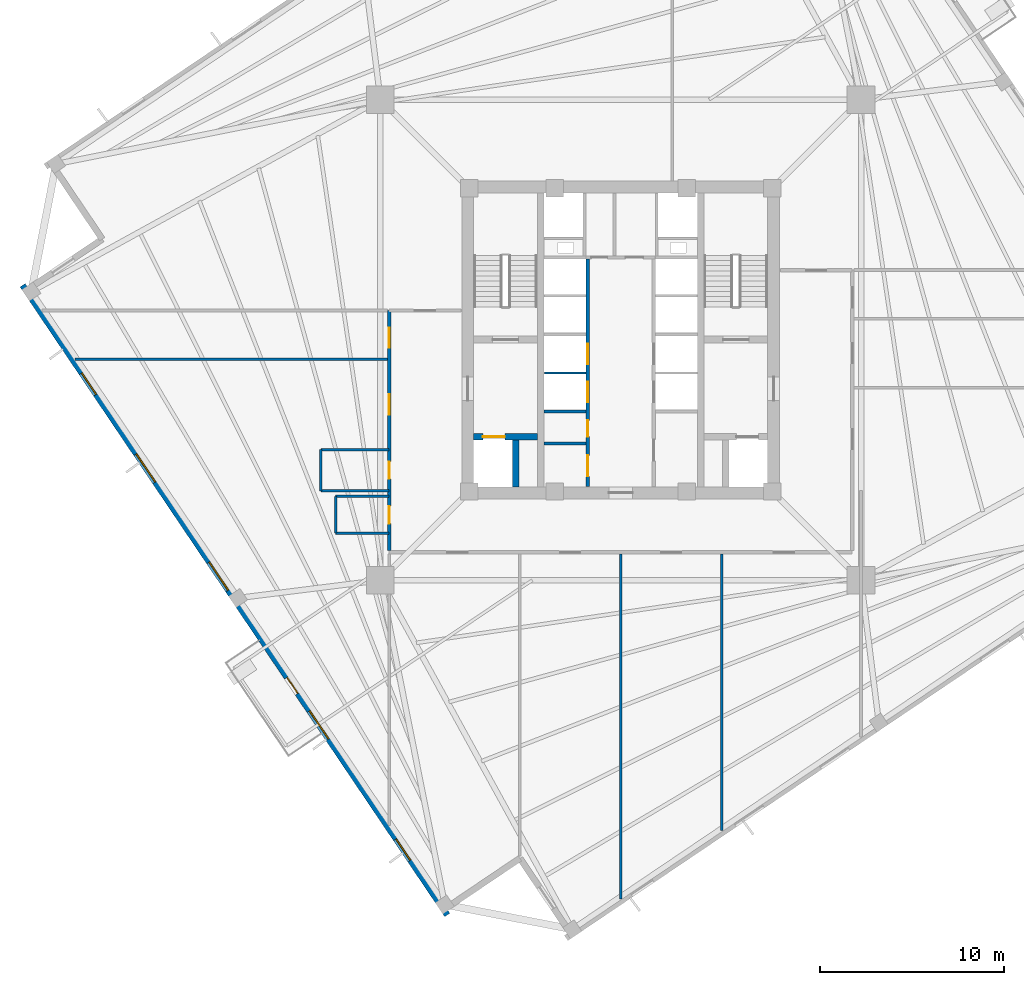
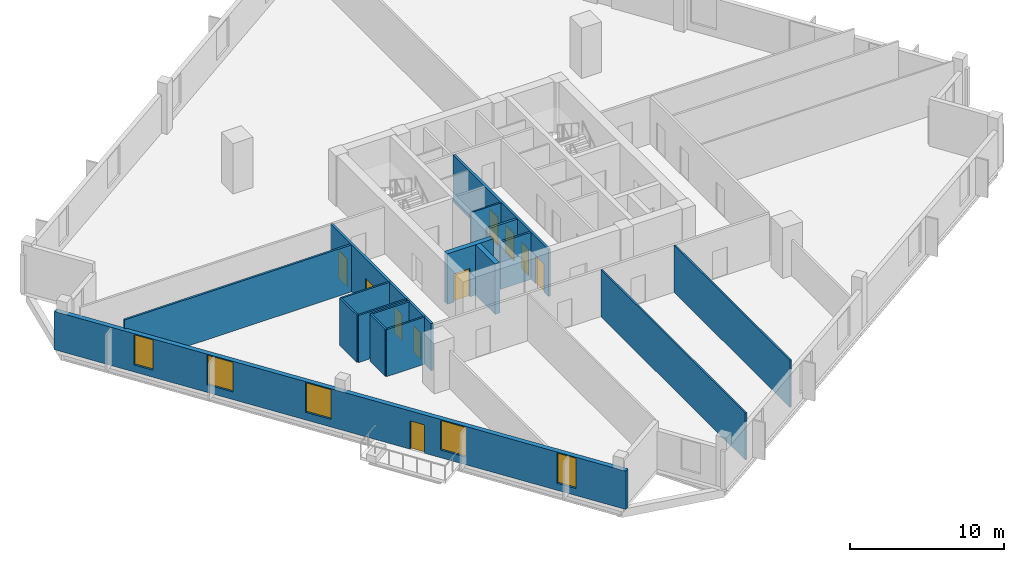
# One storey, part 3 of 9: 17 walls, 10 doors, 5 windows, 15 openings.
"""IFC4 building model written with IfcOpenShell, lengths in metres."""

from ifc_helpers import new_model, si_unit, direction, frame, frame_2d, origin, place, context, subcontext, project, spatial, rectangle, extrude, source, transform, mapped, material, layer, layer_set, type_object, element, fill, save


model = new_model("IFC4")

# Units and contexts
model_context = context("Model", 3, precision=1e-05, world=origin(), true_north=direction((0.0, 1.0)))
body_context = subcontext(model_context, "Body", "Model", "MODEL_VIEW")
ifc_project = project(units=[si_unit("LENGTHUNIT", "METRE"), si_unit("AREAUNIT", "SQUARE_METRE"), si_unit("VOLUMEUNIT", "CUBIC_METRE"), si_unit("PLANEANGLEUNIT", "RADIAN"), si_unit("MASSUNIT", "GRAM", prefix="KILO"), si_unit("THERMODYNAMICTEMPERATUREUNIT", "KELVIN")], contexts=[model_context])

# Site, building, storey
site_placement = place(None, origin())
site = spatial("IfcSite", under=ifc_project, at=site_placement, CompositionType="ELEMENT")
building_placement = place(site_placement, origin())
building = spatial("IfcBuilding", under=site, at=building_placement, Name="Kosmvard Interchange Tower", CompositionType="ELEMENT")
storey_placement = place(building_placement, frame((0.0, 0.0, 192.39990234375)))
storey = spatial("IfcBuildingStorey", under=building, at=storey_placement, Name="L46", CompositionType="ELEMENT", Elevation=192.39990234375)

# Walls
ifc_material_1 = material(Name="Acoustic gypsum partition system")
ifc_layer_1 = layer(ifc_material_1, 0.14990234375, Name="Acoustic gypsum partition system")
ifc_layer_set_1 = layer_set([ifc_layer_1], Name="Acoustic gypsum partition system")
wall_type_1 = type_object("IfcWallType", Name="Acoustic Suite & Meeting Partition 150", PredefinedType="PARTITIONING", material=ifc_layer_set_1)
wall_1_placement = place(storey_placement, frame((-29.718505859375, -1.050048828125, 0.0), z_axis=(0.0, 0.0, 1.0), x_axis=(1.0, 0.0, 0.0)))
element("IfcWall", 1, at=wall_1_placement, inside=storey, type_object=wall_type_1, Name="L46 Room Partition 02.1", PredefinedType="PARTITIONING", context=body_context, shape_type="SweptSolid", body=[
    extrude(rectangle(XDim=17.0234375, YDim=0.14990234375, at=frame_2d((8.51171875, 0.0))), origin(), (0.0, 0.0, 1.0), 3.739990234375),
])
ifc_material_2 = material(Name="Fire-rated gypsum partition system")
ifc_layer_2 = layer(ifc_material_2, 0.159912109375, Name="Fire-rated gypsum partition system")
ifc_layer_set_2 = layer_set([ifc_layer_2], Name="Fire-rated gypsum partition system")
wall_type_2 = type_object("IfcWallType", Name="Core Compartment & Shuttle Lobby Partition 160", PredefinedType="PARTITIONING", material=ifc_layer_set_2)
wall_2_placement = place(storey_placement, frame((-4.169921875, -5.64990234375, 0.0), z_axis=(0.0, 0.0, 1.0), x_axis=(1.0, 0.0, 0.0)))
element("IfcWall", 2, at=wall_2_placement, inside=storey, type_object=wall_type_2, Name="L46 Reclaimed Split W", PredefinedType="PARTITIONING", context=body_context, shape_type="SweptSolid", body=[
    extrude(rectangle(XDim=2.280029296875, YDim=0.159912109375, at=frame_2d((1.14013671875, 0.0))), origin(), (0.0, 0.0, 1.0), 3.739990234375),
])

# Wall, openings, doors
ifc_layer_3 = layer(ifc_material_2, 0.179931640625, Name="Fire-rated gypsum partition system")
ifc_layer_set_3 = layer_set([ifc_layer_3], Name="Fire-rated gypsum partition system")
wall_type_3 = type_object("IfcWallType", Name="Corridor & Hotel Compartment Partition 180", PredefinedType="PARTITIONING", material=ifc_layer_set_3)
wall_3_placement = place(storey_placement, frame((-1.7900390625, -7.97998046875, 0.0), z_axis=(0.0, 0.0, 1.0), x_axis=(0.0, 1.0, 0.0)))
wall_3 = element("IfcWall", 3, at=wall_3_placement, inside=storey, type_object=wall_type_3, Name="L46 West Lift Bank Front Wall", PredefinedType="PARTITIONING", context=body_context, shape_type="SweptSolid", body=[
    extrude(rectangle(XDim=12.3798828125, YDim=0.179931640625, at=frame_2d((6.18994140625, 0.0))), origin(), (0.0, 0.0, 1.0), 3.739990234375),
])
opening_1_placement = place(wall_3_placement, frame((4.60009765625, 0.0, 0.0)))
opening_1 = element("IfcOpeningElement", 4, at=opening_1_placement, cuts=wall_3, Name="Opening LD-PL-M1-L46", PredefinedType="OPENING", context=body_context, shape_type="SweptSolid", body=[
    extrude(rectangle(XDim=1.10009765625, YDim=2.199951171875, at=frame_2d((0.550048828125, 1.10009765625))), frame((0.0, 0.10009765625, 0.0), z_axis=(0.0, -1.0, 0.0), x_axis=(1.0, 0.0, 0.0)), (0.0, 0.0, 1.0), 0.199951171875),
])
opening_2_placement = place(wall_3_placement, frame((6.659912109375, 0.0, 0.0)))
opening_2 = element("IfcOpeningElement", 5, at=opening_2_placement, cuts=wall_3, Name="Opening LD-PL-M2-L46", PredefinedType="OPENING", context=body_context, shape_type="SweptSolid", body=[
    extrude(rectangle(XDim=1.10009765625, YDim=2.199951171875, at=frame_2d((0.550048828125, 1.10009765625))), frame((0.0, 0.10009765625, 0.0), z_axis=(0.0, -1.0, 0.0), x_axis=(1.0, 0.0, 0.0)), (0.0, 0.0, 1.0), 0.199951171875),
])
opening_3_placement = place(wall_3_placement, frame((0.550048828125, 0.0, 0.0)))
opening_3 = element("IfcOpeningElement", 6, at=opening_3_placement, cuts=wall_3, Name="Opening L46-CD1", PredefinedType="OPENING", context=body_context, shape_type="SweptSolid", body=[
    extrude(rectangle(XDim=1.14990234375, YDim=2.25, at=frame_2d((0.574951171875, 1.125))), frame((0.0, 0.10009765625, 0.0), z_axis=(0.0, -1.0, 0.0), x_axis=(1.0, 0.0, 0.0)), (0.0, 0.0, 1.0), 0.199951171875),
])
opening_4_placement = place(wall_3_placement, frame((2.719970703125, 0.0, 0.0)))
opening_4 = element("IfcOpeningElement", 7, at=opening_4_placement, cuts=wall_3, Name="Opening L46-CD2", PredefinedType="OPENING", context=body_context, shape_type="SweptSolid", body=[
    extrude(rectangle(XDim=0.8798828125, YDim=2.10009765625, at=frame_2d((0.43994140625, 1.050048828125))), frame((0.0, 0.10009765625, 0.0), z_axis=(0.0, -1.0, 0.0), x_axis=(1.0, 0.0, 0.0)), (0.0, 0.0, 1.0), 0.199951171875),
])
ifc_material_3 = material(Name="Painted fire-rated steel leaf", Category="steel")
door_type_1 = type_object("IfcDoorType", Name="Plant & Riser Fire Door 1150x2250 EI60", OperationType="NOTDEFINED", PredefinedType="DOOR", material=ifc_material_3)
shared_shape_1 = source(origin(), body_context, "Body", "SweptSolid", [
    extrude(rectangle(XDim=1.14990234375, YDim=2.25, at=frame_2d((0.574951171875, 1.125))), frame((0.0, 0.02490234375, 0.0), z_axis=(0.0, -1.0, 0.0), x_axis=(1.0, 0.0, 0.0)), (0.0, 0.0, 1.0), 0.050048828125),
])
door_1_placement = place(opening_3_placement, origin())
door_1 = element("IfcDoor", 8, at=door_1_placement, inside=storey, type_object=door_type_1, Name="L46 Core Archive Door", OperationType="SINGLE_SWING_LEFT", OverallHeight=2.25, OverallWidth=1.14990234375, PredefinedType="DOOR", context=body_context, shape_type="MappedRepresentation", body=[
    mapped(shared_shape_1, transform((0.0, 0.0, 0.0), scale=1.0)),
])
fill(opening_3, door_1)
ifc_material_4 = material(Name="Brushed stainless steel sliding leaf", Category="steel")
door_type_2 = type_object("IfcDoorType", Name="Passenger Lift Sliding Landing Door 1100x2200 EI60", OperationType="DOUBLE_DOOR_SLIDING", PredefinedType="DOOR", material=ifc_material_4)
shared_shape_2 = source(origin(), body_context, "Body", "SweptSolid", [
    extrude(rectangle(XDim=1.10009765625, YDim=2.199951171875, at=frame_2d((0.550048828125, 1.10009765625))), frame((0.0, 0.02490234375, 0.0), z_axis=(0.0, -1.0, 0.0), x_axis=(1.0, 0.0, 0.0)), (0.0, 0.0, 1.0), 0.050048828125),
])
door_2_placement = place(opening_1_placement, frame((1.10009765625, 0.0, 0.0), z_axis=(0.0, 0.0, 1.0), x_axis=(-1.0, 0.0, 0.0)))
door_2 = element("IfcDoor", 9, at=door_2_placement, inside=storey, type_object=door_type_2, Name="Lift PL-M1 Landing Door L46", OperationType="DOUBLE_DOOR_SLIDING", OverallHeight=2.199951171875, OverallWidth=1.10009765625, PredefinedType="DOOR", context=body_context, shape_type="MappedRepresentation", body=[
    mapped(shared_shape_2, transform((0.0, 0.0, 0.0), scale=1.0)),
])
fill(opening_1, door_2)
door_3_placement = place(opening_2_placement, frame((1.10009765625, 0.0, 0.0), z_axis=(0.0, 0.0, 1.0), x_axis=(-1.0, 0.0, 0.0)))
door_3 = element("IfcDoor", 10, at=door_3_placement, inside=storey, type_object=door_type_2, Name="Lift PL-M2 Landing Door L46", OperationType="DOUBLE_DOOR_SLIDING", OverallHeight=2.199951171875, OverallWidth=1.10009765625, PredefinedType="DOOR", context=body_context, shape_type="MappedRepresentation", body=[
    mapped(shared_shape_2, transform((0.0, 0.0, 0.0), scale=1.0)),
])
fill(opening_2, door_3)
ifc_material_5 = material(Name="Painted fire-rated timber leaf", Category="wood")
door_type_3 = type_object("IfcDoorType", Name="Core Cupboard Fire Door 880x2100 EI30", OperationType="NOTDEFINED", PredefinedType="DOOR", material=ifc_material_5)
shared_shape_3 = source(origin(), body_context, "Body", "SweptSolid", [
    extrude(rectangle(XDim=0.8798828125, YDim=2.10009765625, at=frame_2d((0.43994140625, 1.050048828125))), frame((0.0, 0.02490234375, 0.0), z_axis=(0.0, -1.0, 0.0), x_axis=(1.0, 0.0, 0.0)), (0.0, 0.0, 1.0), 0.050048828125),
])
door_4_placement = place(opening_4_placement, origin())
door_4 = element("IfcDoor", 11, at=door_4_placement, inside=storey, type_object=door_type_3, Name="L46 Core Supplies Door", OperationType="SINGLE_SWING_RIGHT", OverallHeight=2.10009765625, OverallWidth=0.8798828125, PredefinedType="DOOR", context=body_context, shape_type="MappedRepresentation", body=[
    mapped(shared_shape_3, transform((0.0, 0.0, 0.0), scale=1.0)),
])
fill(opening_4, door_4)

wall_4_placement = place(storey_placement, frame((-12.60009765625, -11.449951171875, 0.0), z_axis=(0.0, 0.0, 1.0), x_axis=(0.0, 1.0, 0.0)))
wall_4 = element("IfcWall", 12, at=wall_4_placement, inside=storey, type_object=wall_type_3, Name="L46 Corridor Wall CW", PredefinedType="PARTITIONING", context=body_context, shape_type="SweptSolid", body=[
    extrude(rectangle(XDim=13.050048828125, YDim=0.179931640625, at=frame_2d((6.52490234375, 0.0))), origin(), (0.0, 0.0, 1.0), 3.739990234375),
])
opening_5_placement = place(wall_4_placement, frame((1.455078125, 0.0, 0.0)))
opening_5 = element("IfcOpeningElement", 13, at=opening_5_placement, cuts=wall_4, Name="Opening L46-D01", PredefinedType="OPENING", context=body_context, shape_type="SweptSolid", body=[
    extrude(rectangle(XDim=0.949951171875, YDim=2.10009765625, at=frame_2d((0.47509765625, 1.050048828125))), frame((0.0, 0.10009765625, 0.0), z_axis=(0.0, -1.0, 0.0), x_axis=(1.0, 0.0, 0.0)), (0.0, 0.0, 1.0), 0.199951171875),
])
opening_6_placement = place(wall_4_placement, frame((3.879150390625, 0.0, 0.0)))
opening_6 = element("IfcOpeningElement", 14, at=opening_6_placement, cuts=wall_4, Name="Opening L46-D02", PredefinedType="OPENING", context=body_context, shape_type="SweptSolid", body=[
    extrude(rectangle(XDim=0.949951171875, YDim=2.10009765625, at=frame_2d((0.47509765625, 1.050048828125))), frame((0.0, 0.10009765625, 0.0), z_axis=(0.0, -1.0, 0.0), x_axis=(1.0, 0.0, 0.0)), (0.0, 0.0, 1.0), 0.199951171875),
])
opening_7_placement = place(wall_4_placement, frame((11.010498046875, 0.0, 0.0)))
opening_7 = element("IfcOpeningElement", 15, at=opening_7_placement, cuts=wall_4, Name="Opening L46-D03", PredefinedType="OPENING", context=body_context, shape_type="SweptSolid", body=[
    extrude(rectangle(XDim=1.10009765625, YDim=2.199951171875, at=frame_2d((0.550048828125, 1.10009765625))), frame((0.0, 0.10009765625, 0.0), z_axis=(0.0, -1.0, 0.0), x_axis=(1.0, 0.0, 0.0)), (0.0, 0.0, 1.0), 0.199951171875),
])
opening_8_placement = place(wall_4_placement, frame((7.383544921875, 0.0, 0.0)))
opening_8 = element("IfcOpeningElement", 16, at=opening_8_placement, cuts=wall_4, Name="Opening L46-D07", PredefinedType="OPENING", context=body_context, shape_type="SweptSolid", body=[
    extrude(rectangle(XDim=1.10009765625, YDim=2.199951171875, at=frame_2d((0.550048828125, 1.10009765625))), frame((0.0, 0.10009765625, 0.0), z_axis=(0.0, -1.0, 0.0), x_axis=(1.0, 0.0, 0.0)), (0.0, 0.0, 1.0), 0.199951171875),
])
ifc_material_6 = material(Name="Laminated moisture-resistant timber", Category="wood")
door_type_4 = type_object("IfcDoorType", Name="Accessible Washroom Door 950x2100", OperationType="NOTDEFINED", PredefinedType="DOOR", material=ifc_material_6)
shared_shape_4 = source(origin(), body_context, "Body", "SweptSolid", [
    extrude(rectangle(XDim=0.949951171875, YDim=2.10009765625, at=frame_2d((0.47509765625, 1.050048828125))), frame((0.0, 0.02490234375, 0.0), z_axis=(0.0, -1.0, 0.0), x_axis=(1.0, 0.0, 0.0)), (0.0, 0.0, 1.0), 0.050048828125),
])
door_5_placement = place(opening_5_placement, origin())
door_5 = element("IfcDoor", 17, at=door_5_placement, inside=storey, type_object=door_type_4, Name="L46 Accessible Toilet Door", OperationType="SINGLE_SWING_LEFT", OverallHeight=2.10009765625, OverallWidth=0.949951171875, PredefinedType="DOOR", context=body_context, shape_type="MappedRepresentation", body=[
    mapped(shared_shape_4, transform((0.0, 0.0, 0.0), scale=1.0)),
])
fill(opening_5, door_5)
door_6_placement = place(opening_6_placement, origin())
door_6 = element("IfcDoor", 18, at=door_6_placement, inside=storey, type_object=door_type_4, Name="L46 Public Floor Washroom Door", OperationType="SINGLE_SWING_RIGHT", OverallHeight=2.10009765625, OverallWidth=0.949951171875, PredefinedType="DOOR", context=body_context, shape_type="MappedRepresentation", body=[
    mapped(shared_shape_4, transform((0.0, 0.0, 0.0), scale=1.0)),
])
fill(opening_6, door_6)
ifc_material_7 = material(Name="Engineered oak fire-rated timber", Category="wood")
door_type_5 = type_object("IfcDoorType", Name="Office Suite Entrance Door 1100x2200 FD30S", OperationType="NOTDEFINED", PredefinedType="DOOR", material=ifc_material_7)
door_7_placement = place(opening_7_placement, origin())
door_7 = element("IfcDoor", 19, at=door_7_placement, inside=storey, type_object=door_type_5, Name="L46 West Customs Seminar Room 1 Door", OperationType="SINGLE_SWING_LEFT", OverallHeight=2.199951171875, OverallWidth=1.10009765625, PredefinedType="DOOR", context=body_context, shape_type="MappedRepresentation", body=[
    mapped(shared_shape_2, transform((0.0, 0.0, 0.0), scale=1.0)),
])
fill(opening_7, door_7)
door_8_placement = place(opening_8_placement, origin())
door_8 = element("IfcDoor", 20, at=door_8_placement, inside=storey, type_object=door_type_5, Name="L46 South-West Open Analytics Workplace Door", OperationType="SINGLE_SWING_LEFT", OverallHeight=2.199951171875, OverallWidth=1.10009765625, PredefinedType="DOOR", context=body_context, shape_type="MappedRepresentation", body=[
    mapped(shared_shape_2, transform((0.0, 0.0, 0.0), scale=1.0)),
])
fill(opening_8, door_8)

# Wall, openings, door, windows
ifc_material_8 = material(Name="Precast concrete C45/55", Category="concrete")
ifc_layer_4 = layer(ifc_material_8, 0.340087890625, Name="Precast concrete C45/55")
ifc_layer_set_4 = layer_set([ifc_layer_4], Name="Precast concrete C45/55")
wall_type_4 = type_object("IfcWallType", Name="Mid Tower Precast Pier Wall 340 C45/55", PredefinedType="STANDARD", material=ifc_layer_set_4)
wall_5_placement = place(storey_placement, frame((-32.55810546875, 2.971923828125, 0.0), z_axis=(0.0, 0.0, 1.0), x_axis=(0.559194910251, -0.829036218961, 0.0)))
wall_5 = element("IfcWall", 21, at=wall_5_placement, inside=storey, type_object=wall_type_4, Name="L46 Precast Facade Wall F-W", PredefinedType="STANDARD", context=body_context, shape_type="SweptSolid", body=[
    extrude(rectangle(XDim=41.340087890625, YDim=0.340087890625, at=frame_2d((20.669921875, 0.0))), origin(), (0.0, 0.0, 1.0), 3.0400390625),
])
opening_9_placement = place(wall_5_placement, frame((25.7451171875, 0.0, 0.0)))
opening_9 = element("IfcOpeningElement", 22, at=opening_9_placement, cuts=wall_5, Name="Opening L46-BDW", PredefinedType="OPENING", context=body_context, shape_type="SweptSolid", body=[
    extrude(rectangle(XDim=1.050048828125, YDim=2.25, at=frame_2d((0.52490234375, 1.125))), frame((0.0, 0.18017578125, 0.0), z_axis=(0.0, -1.0, 0.0), x_axis=(1.0, 0.0, 0.0)), (0.0, 0.0, 1.0), 0.360107421875),
])
opening_10_placement = place(wall_5_placement, frame((5.7607421875, 0.0, 0.56005859375)))
opening_10 = element("IfcOpeningElement", 23, at=opening_10_placement, cuts=wall_5, Name="Opening L46-W16", PredefinedType="OPENING", context=body_context, shape_type="SweptSolid", body=[
    extrude(rectangle(XDim=1.39990234375, YDim=2.39990234375, at=frame_2d((0.699951171875, 1.199951171875))), frame((0.0, 0.18017578125, 0.0), z_axis=(0.0, -1.0, 0.0), x_axis=(1.0, 0.0, 0.0)), (0.0, 0.0, 1.0), 0.360107421875),
])
opening_11_placement = place(wall_5_placement, frame((11.063720703125, 0.0, 0.610107421875)))
opening_11 = element("IfcOpeningElement", 24, at=opening_11_placement, cuts=wall_5, Name="Opening L46-W17", PredefinedType="OPENING", context=body_context, shape_type="SweptSolid", body=[
    extrude(rectangle(XDim=1.85009765625, YDim=2.35009765625, at=frame_2d((0.925048828125, 1.175048828125))), frame((0.0, 0.18017578125, 0.0), z_axis=(0.0, -1.0, 0.0), x_axis=(1.0, 0.0, 0.0)), (0.0, 0.0, 1.0), 0.360107421875),
])
opening_12_placement = place(wall_5_placement, frame((18.168212890625, 0.0, 0.610107421875)))
opening_12 = element("IfcOpeningElement", 25, at=opening_12_placement, cuts=wall_5, Name="Opening L46-W18", PredefinedType="OPENING", context=body_context, shape_type="SweptSolid", body=[
    extrude(rectangle(XDim=1.85009765625, YDim=2.35009765625, at=frame_2d((0.925048828125, 1.175048828125))), frame((0.0, 0.18017578125, 0.0), z_axis=(0.0, -1.0, 0.0), x_axis=(1.0, 0.0, 0.0)), (0.0, 0.0, 1.0), 0.360107421875),
])
opening_13_placement = place(wall_5_placement, frame((27.936279296875, 0.0, 0.610107421875)))
opening_13 = element("IfcOpeningElement", 26, at=opening_13_placement, cuts=wall_5, Name="Opening L46-W19", PredefinedType="OPENING", context=body_context, shape_type="SweptSolid", body=[
    extrude(rectangle(XDim=1.85009765625, YDim=2.35009765625, at=frame_2d((0.925048828125, 1.175048828125))), frame((0.0, 0.18017578125, 0.0), z_axis=(0.0, -1.0, 0.0), x_axis=(1.0, 0.0, 0.0)), (0.0, 0.0, 1.0), 0.360107421875),
])
opening_14_placement = place(wall_5_placement, frame((36.352294921875, 0.0, 0.56005859375)))
opening_14 = element("IfcOpeningElement", 27, at=opening_14_placement, cuts=wall_5, Name="Opening L46-W20", PredefinedType="OPENING", context=body_context, shape_type="SweptSolid", body=[
    extrude(rectangle(XDim=1.39990234375, YDim=2.39990234375, at=frame_2d((0.699951171875, 1.199951171875))), frame((0.0, 0.18017578125, 0.0), z_axis=(0.0, -1.0, 0.0), x_axis=(1.0, 0.0, 0.0)), (0.0, 0.0, 1.0), 0.360107421875),
])
ifc_material_9 = material(Name="Anodised aluminium and safety glass", Category="aluminium")
door_type_6 = type_object("IfcDoorType", Name="Tree-Balcony Glazed Door 1050x2250", OperationType="NOTDEFINED", PredefinedType="DOOR", material=ifc_material_9)
shared_shape_5 = source(origin(), body_context, "Body", "SweptSolid", [
    extrude(rectangle(XDim=1.050048828125, YDim=2.25, at=frame_2d((0.52490234375, 1.125))), frame((0.0, 0.02490234375, 0.0), z_axis=(0.0, -1.0, 0.0), x_axis=(1.0, 0.0, 0.0)), (0.0, 0.0, 1.0), 0.050048828125),
])
door_9_placement = place(opening_9_placement, origin())
door_9 = element("IfcDoor", 28, at=door_9_placement, inside=storey, type_object=door_type_6, Name="L46 Tree-Balcony Door BAL-L46-W", OperationType="SINGLE_SWING_LEFT", OverallHeight=2.25, OverallWidth=1.050048828125, PredefinedType="DOOR", context=body_context, shape_type="MappedRepresentation", body=[
    mapped(shared_shape_5, transform((0.0, 0.0, 0.0), scale=1.0)),
])
fill(opening_9, door_9)
ifc_material_10 = material(Name="Low-E solar-control double glazing", Category="glass")
window_type_1 = type_object("IfcWindowType", Name="Notched Corner Feature Window 1400x2400", PartitioningType="SINGLE_PANEL", PredefinedType="WINDOW", material=ifc_material_10)
shared_shape_6 = source(origin(), body_context, "Body", "SweptSolid", [
    extrude(rectangle(XDim=1.39990234375, YDim=2.39990234375, at=frame_2d((0.699951171875, 1.199951171875))), frame((0.0, 0.030029296875, 0.0), z_axis=(0.0, -1.0, 0.0), x_axis=(1.0, 0.0, 0.0)), (0.0, 0.0, 1.0), 0.06005859375),
])
window_1_placement = place(opening_10_placement, origin())
window_1 = element("IfcWindow", 29, at=window_1_placement, inside=storey, type_object=window_type_1, Name="L46 Facade Punched Window 16", OverallHeight=2.39990234375, OverallWidth=1.39990234375, PartitioningType="SINGLE_PANEL", PredefinedType="WINDOW", context=body_context, shape_type="MappedRepresentation", body=[
    mapped(shared_shape_6, transform((0.0, 0.0, 0.0), scale=1.0)),
])
fill(opening_10, window_1)
window_2_placement = place(opening_14_placement, origin())
window_2 = element("IfcWindow", 30, at=window_2_placement, inside=storey, type_object=window_type_1, Name="L46 Facade Punched Window 20", OverallHeight=2.39990234375, OverallWidth=1.39990234375, PartitioningType="SINGLE_PANEL", PredefinedType="WINDOW", context=body_context, shape_type="MappedRepresentation", body=[
    mapped(shared_shape_6, transform((0.0, 0.0, 0.0), scale=1.0)),
])
fill(opening_14, window_2)
window_type_2 = type_object("IfcWindowType", Name="Zone 3 Office Punched Window 1850x2350", PartitioningType="SINGLE_PANEL", PredefinedType="WINDOW", material=ifc_material_10)
shared_shape_7 = source(origin(), body_context, "Body", "SweptSolid", [
    extrude(rectangle(XDim=1.85009765625, YDim=2.35009765625, at=frame_2d((0.925048828125, 1.175048828125))), frame((0.0, 0.030029296875, 0.0), z_axis=(0.0, -1.0, 0.0), x_axis=(1.0, 0.0, 0.0)), (0.0, 0.0, 1.0), 0.06005859375),
])
window_3_placement = place(opening_11_placement, origin())
window_3 = element("IfcWindow", 31, at=window_3_placement, inside=storey, type_object=window_type_2, Name="L46 Facade Punched Window 17", OverallHeight=2.35009765625, OverallWidth=1.85009765625, PartitioningType="SINGLE_PANEL", PredefinedType="WINDOW", context=body_context, shape_type="MappedRepresentation", body=[
    mapped(shared_shape_7, transform((0.0, 0.0, 0.0), scale=1.0)),
])
fill(opening_11, window_3)
window_4_placement = place(opening_12_placement, origin())
window_4 = element("IfcWindow", 32, at=window_4_placement, inside=storey, type_object=window_type_2, Name="L46 Facade Punched Window 18", OverallHeight=2.35009765625, OverallWidth=1.85009765625, PartitioningType="SINGLE_PANEL", PredefinedType="WINDOW", context=body_context, shape_type="MappedRepresentation", body=[
    mapped(shared_shape_7, transform((0.0, 0.0, 0.0), scale=1.0)),
])
fill(opening_12, window_4)
window_5_placement = place(opening_13_placement, origin())
window_5 = element("IfcWindow", 33, at=window_5_placement, inside=storey, type_object=window_type_2, Name="L46 Facade Punched Window 19", OverallHeight=2.35009765625, OverallWidth=1.85009765625, PartitioningType="SINGLE_PANEL", PredefinedType="WINDOW", context=body_context, shape_type="MappedRepresentation", body=[
    mapped(shared_shape_7, transform((0.0, 0.0, 0.0), scale=1.0)),
])
fill(opening_13, window_5)

# Walls
ifc_material_11 = material(Name="Gypsum board partition system")
ifc_layer_5 = layer(ifc_material_11, 0.1201171875, Name="Gypsum board partition system")
ifc_layer_set_5 = layer_set([ifc_layer_5], Name="Gypsum board partition system")
wall_type_5 = type_object("IfcWallType", Name="Office Cellular Partition 120", PredefinedType="PARTITIONING", material=ifc_layer_set_5)
wall_6_placement = place(storey_placement, frame((0.0, -30.4267578125, 0.0), z_axis=(0.0, 0.0, 1.0), x_axis=(0.0, 1.0, 0.0)))
element("IfcWall", 34, at=wall_6_placement, inside=storey, type_object=wall_type_5, Name="L46 Room Partition 08.1", PredefinedType="PARTITIONING", context=body_context, shape_type="SweptSolid", body=[
    extrude(rectangle(XDim=18.78173828125, YDim=0.1201171875, at=frame_2d((9.390869140625, 0.0))), origin(), (0.0, 0.0, 1.0), 3.739990234375),
])
wall_7_placement = place(storey_placement, frame((5.5, -26.717041015625, 0.0), z_axis=(0.0, 0.0, 1.0), x_axis=(0.0, 1.0, 0.0)))
element("IfcWall", 35, at=wall_7_placement, inside=storey, type_object=wall_type_5, Name="L46 Room Partition 09.1", PredefinedType="PARTITIONING", context=body_context, shape_type="SweptSolid", body=[
    extrude(rectangle(XDim=15.072021484375, YDim=0.1201171875, at=frame_2d((7.5361328125, 0.0))), origin(), (0.0, 0.0, 1.0), 3.739990234375),
])
ifc_material_12 = material(Name="Concrete blockwork masonry", Category="masonry")
ifc_layer_6 = layer(ifc_material_12, 0.179931640625, Name="Concrete blockwork masonry")
ifc_layer_set_6 = layer_set([ifc_layer_6], Name="Concrete blockwork masonry")
wall_type_6 = type_object("IfcWallType", Name="Riser & Lift Bank Divider Wall 180", PredefinedType="PARTITIONING", material=ifc_layer_set_6)
wall_8_placement = place(storey_placement, frame((-4.169921875, -3.89990234375, 0.0), z_axis=(0.0, 0.0, 1.0), x_axis=(1.0, 0.0, 0.0)))
element("IfcWall", 36, at=wall_8_placement, inside=storey, type_object=wall_type_6, Name="L46 West Bank Divider BD1", PredefinedType="PARTITIONING", context=body_context, shape_type="SweptSolid", body=[
    extrude(rectangle(XDim=2.280029296875, YDim=0.179931640625, at=frame_2d((1.14013671875, 0.0))), origin(), (0.0, 0.0, 1.0), 3.739990234375),
])
ifc_material_13 = material(Name="Fire-rated gypsum shaftwall system")
ifc_layer_7 = layer(ifc_material_13, 0.1201171875, Name="Fire-rated gypsum shaftwall system")
ifc_layer_set_7 = layer_set([ifc_layer_7], Name="Fire-rated gypsum shaftwall system")
wall_type_7 = type_object("IfcWallType", Name="Shaft & Riser Fire Partition 120 EI60", PredefinedType="PARTITIONING", material=ifc_layer_set_7)
wall_9_placement = place(storey_placement, frame((-4.159912109375, -1.800048828125, 0.0), z_axis=(0.0, 0.0, 1.0), x_axis=(1.0, 0.0, 0.0)))
element("IfcWall", 37, at=wall_9_placement, inside=storey, type_object=wall_type_7, Name="L46 Shaft Divider PL-M1", PredefinedType="PARTITIONING", context=body_context, shape_type="SweptSolid", body=[
    extrude(rectangle(XDim=2.260009765625, YDim=0.1201171875, at=frame_2d((1.1298828125, 0.0))), origin(), (0.0, 0.0, 1.0), 3.739990234375),
])

# Wall, opening, door
ifc_material_14 = material(Name="Concrete C60/75", Category="concrete")
ifc_layer_8 = layer(ifc_material_14, 0.360107421875, Name="Concrete C60/75")
ifc_layer_set_8 = layer_set([ifc_layer_8], Name="Concrete C60/75")
wall_type_8 = type_object("IfcWallType", Name="Stair & Lift Shaft Shear Wall 360 C60/75", PredefinedType="SHEAR", material=ifc_layer_set_8)
wall_10_placement = place(storey_placement, frame((-8.0, -5.280029296875, 0.0), z_axis=(0.0, 0.0, 1.0), x_axis=(1.0, 0.0, 0.0)))
wall_10 = element("IfcWall", 38, at=wall_10_placement, inside=storey, type_object=wall_type_8, Name="L46 Shaft Shear Wall SW-FF1", PredefinedType="SHEAR", context=body_context, shape_type="SweptSolid", body=[
    extrude(rectangle(XDim=3.4599609375, YDim=0.360107421875, at=frame_2d((1.72998046875, 0.0))), origin(), (0.0, 0.0, 1.0), 4.0),
])
opening_15_placement = place(wall_10_placement, frame((0.5, 0.0, 0.0)))
opening_15 = element("IfcOpeningElement", 39, at=opening_15_placement, cuts=wall_10, Name="Opening LD-FF-1-L46", PredefinedType="OPENING", context=body_context, shape_type="SweptSolid", body=[
    extrude(rectangle(XDim=1.199951171875, YDim=2.25, at=frame_2d((0.60009765625, 1.125))), frame((0.0, 0.18994140625, 0.0), z_axis=(0.0, -1.0, 0.0), x_axis=(1.0, 0.0, 0.0)), (0.0, 0.0, 1.0), 0.380126953125),
])
door_type_7 = type_object("IfcDoorType", Name="Firefighting Lift Sliding Landing Door 1200x2250 EI120", OperationType="DOUBLE_DOOR_SLIDING", PredefinedType="DOOR", material=ifc_material_4)
shared_shape_8 = source(origin(), body_context, "Body", "SweptSolid", [
    extrude(rectangle(XDim=1.199951171875, YDim=2.25, at=frame_2d((0.60009765625, 1.125))), frame((0.0, 0.02490234375, 0.0), z_axis=(0.0, -1.0, 0.0), x_axis=(1.0, 0.0, 0.0)), (0.0, 0.0, 1.0), 0.050048828125),
])
door_10_placement = place(opening_15_placement, origin())
door_10 = element("IfcDoor", 40, at=door_10_placement, inside=storey, type_object=door_type_7, Name="Lift FF-1 Landing Door L46", OperationType="DOUBLE_DOOR_SLIDING", OverallHeight=2.25, OverallWidth=1.199951171875, PredefinedType="DOOR", context=body_context, shape_type="MappedRepresentation", body=[
    mapped(shared_shape_8, transform((0.0, 0.0, 0.0), scale=1.0)),
])
fill(opening_15, door_10)

# Walls
wall_11_placement = place(storey_placement, frame((-5.7099609375, -8.0, 0.0), z_axis=(0.0, 0.0, 1.0), x_axis=(0.0, 1.0, 0.0)))
element("IfcWall", 41, at=wall_11_placement, inside=storey, type_object=wall_type_8, Name="L46 Shaft Shear Wall SW-SM1", PredefinedType="SHEAR", context=body_context, shape_type="SweptSolid", body=[
    extrude(rectangle(XDim=2.5400390625, YDim=0.360107421875, at=frame_2d((1.27001953125, 0.0))), origin(), (0.0, 0.0, 1.0), 4.0),
])
ifc_material_15 = material(Name="Moisture-resistant gypsum partition")
ifc_layer_9 = layer(ifc_material_15, 0.135009765625, Name="Moisture-resistant gypsum partition")
ifc_layer_set_9 = layer_set([ifc_layer_9], Name="Moisture-resistant gypsum partition")
wall_type_9 = type_object("IfcWallType", Name="Wet Room Moisture-Resistant Partition 135", PredefinedType="PARTITIONING", material=ifc_layer_set_9)
for number, where, z_axis, x_axis, name in (
    (42, (-15.52001953125, -10.52001953125, 0.0), (0.0, 0.0, 1.0), (1.0, 0.0, 0.0), "L46 Washroom Partition AWC1-S"),
    (43, (-15.52001953125, -8.52001953125, 0.0), (0.0, 0.0, 1.0), (1.0, 0.0, 0.0), "L46 Washroom Partition AWC1-N"),
):
    element("IfcWall", number, at=place(storey_placement, frame(where, z_axis=z_axis, x_axis=x_axis)), inside=storey, type_object=wall_type_9, Name=name, PredefinedType="PARTITIONING", context=body_context, shape_type="SweptSolid", body=[
        extrude(rectangle(XDim=2.89990234375, YDim=0.135009765625, at=frame_2d((1.449951171875, 0.0))), origin(), (0.0, 0.0, 1.0), 3.739990234375),
    ])
wall_12_placement = place(storey_placement, frame((-15.52001953125, -10.52001953125, 0.0), z_axis=(0.0, 0.0, 1.0), x_axis=(0.0, 1.0, 0.0)))
element("IfcWall", 44, at=wall_12_placement, inside=storey, type_object=wall_type_9, Name="L46 Washroom Partition AWC1-W", PredefinedType="PARTITIONING", context=body_context, shape_type="SweptSolid", body=[
    extrude(rectangle(XDim=2.0, YDim=0.135009765625, at=frame_2d((1.0, 0.0))), origin(), (0.0, 0.0, 1.0), 3.739990234375),
])
for number, where, z_axis, x_axis, name in (
    (45, (-16.320068359375, -8.220947265625, 0.0), (0.0, 0.0, 1.0), (1.0, 0.0, 0.0), "L46 Washroom Partition WC1-S"),
    (46, (-16.320068359375, -5.970947265625, 0.0), (0.0, 0.0, 1.0), (1.0, 0.0, 0.0), "L46 Washroom Partition WC1-N"),
):
    element("IfcWall", number, at=place(storey_placement, frame(where, z_axis=z_axis, x_axis=x_axis)), inside=storey, type_object=wall_type_9, Name=name, PredefinedType="PARTITIONING", context=body_context, shape_type="SweptSolid", body=[
        extrude(rectangle(XDim=3.699951171875, YDim=0.135009765625, at=frame_2d((1.85009765625, 0.0))), origin(), (0.0, 0.0, 1.0), 3.739990234375),
    ])
wall_13_placement = place(storey_placement, frame((-16.320068359375, -8.220947265625, 0.0), z_axis=(0.0, 0.0, 1.0), x_axis=(0.0, 1.0, 0.0)))
element("IfcWall", 47, at=wall_13_placement, inside=storey, type_object=wall_type_9, Name="L46 Washroom Partition WC1-W", PredefinedType="PARTITIONING", context=body_context, shape_type="SweptSolid", body=[
    extrude(rectangle(XDim=2.25, YDim=0.135009765625, at=frame_2d((1.125, 0.0))), origin(), (0.0, 0.0, 1.0), 3.739990234375),
])

save(model, "model.ifc")
